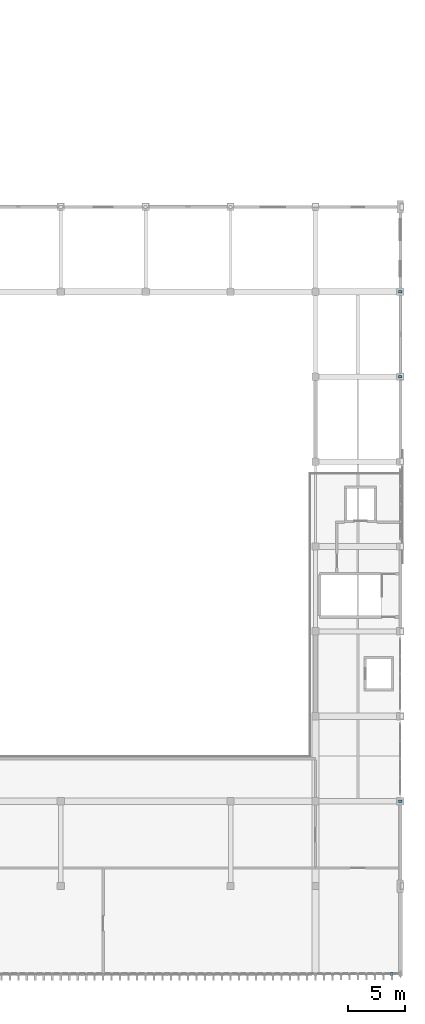
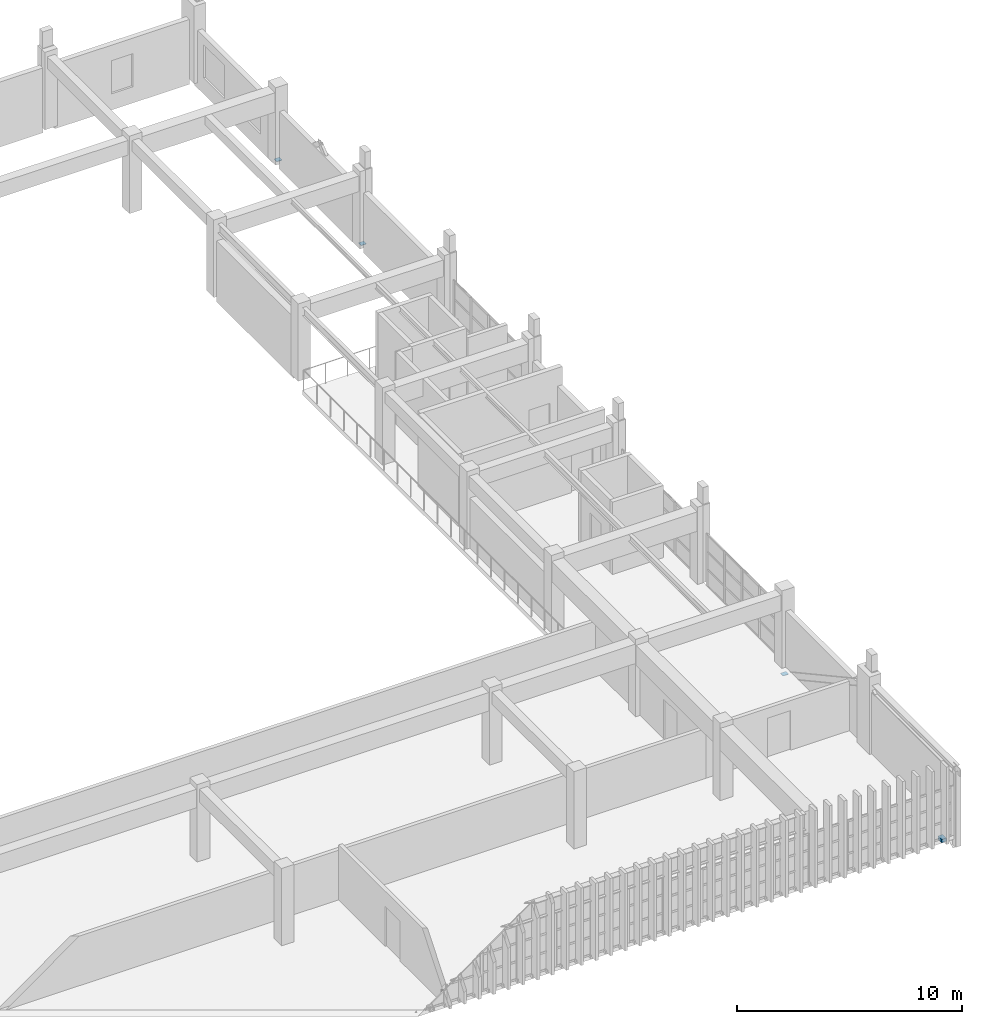
# One storey, part 41 of 51: 4 discrete accessories.
"""IFC4 building model written with IfcOpenShell, lengths in metres."""

import ifcopenshell
import ifcopenshell.guid

model = None  # the IFC model being written
_history = None  # IfcOwnerHistory: only IFC2X3 demands one
_inside = {}  # id of a spatial element -> (the spatial element, [elements in it])
_under = {}  # id of a project, library or spatial element -> (it, [spatial elements below it])
_declared = {}  # id of a project -> (the project, [libraries it declares])
_typed = {}  # id of a type object -> (the type object, [elements of that type])
_made_of = {}  # id of a material, layer set ... -> (it, [elements and type objects made of it])


def new_model(schema):
    """Start an empty IFC model of exactly this schema.

    Asked for "IFC4X3", IfcOpenShell would pick the latest addendum, in which some entities
    have other attributes; the version numbers below select the first issue.
    IFC2X3 requires an IfcOwnerHistory on every rooted entity: one is made here for all.
    """
    global model, _history
    if schema == "IFC4X3":
        model = ifcopenshell.file(schema_version=(4, 3, 0, 0))
    else:
        model = ifcopenshell.file(schema=schema)
    _inside.clear()
    _under.clear()
    _declared.clear()
    _typed.clear()
    _made_of.clear()
    _history = None
    if model.schema == "IFC2X3":
        org = make("IfcOrganization", Name="unknown")
        user = make(
            "IfcPersonAndOrganization",
            ThePerson=make("IfcPerson", FamilyName="unknown"),
            TheOrganization=org,
        )
        app = make(
            "IfcApplication",
            ApplicationDeveloper=org,
            Version="unknown",
            ApplicationFullName="unknown",
            ApplicationIdentifier="unknown",
        )
        _history = make(
            "IfcOwnerHistory",
            OwningUser=user,
            OwningApplication=app,
            ChangeAction="ADDED",
            CreationDate=0,
        )
    return model


def make(cls, **values):
    """One entity of the class cls with the attributes given. An attribute that is None is left unset."""
    return model.create_entity(
        cls, **{name: value for name, value in values.items() if value is not None}
    )


def rooted(cls, **values):
    """An entity with a GlobalId (a new one), such as an element, a storey or a relation."""
    return make(cls, GlobalId=ifcopenshell.guid.new(), OwnerHistory=_history, **values)


def si_unit(unit_type, name, prefix=None):
    """IfcSIUnit, for example si_unit("LENGTHUNIT", "METRE", prefix="MILLI")."""
    return make("IfcSIUnit", UnitType=unit_type, Prefix=prefix, Name=name)


def assignment(units):
    """IfcUnitAssignment: the units of a project."""
    return None if units is None else make("IfcUnitAssignment", Units=units)


def point(xyz):
    """IfcCartesianPoint."""
    return None if xyz is None else make("IfcCartesianPoint", Coordinates=xyz)


def direction(xyz):
    """IfcDirection."""
    return None if xyz is None else make("IfcDirection", DirectionRatios=xyz)


def frame(location, z_axis=None, x_axis=None):
    """IfcAxis2Placement3D, a coordinate frame: its origin and axes. An axis left out is left unset."""
    return make(
        "IfcAxis2Placement3D",
        Location=point(location),
        Axis=direction(z_axis),
        RefDirection=direction(x_axis),
    )


def frame_2d(location, x_axis=None):
    """IfcAxis2Placement2D, a coordinate frame in the plane: its origin and x axis."""
    return make(
        "IfcAxis2Placement2D", Location=point(location), RefDirection=direction(x_axis)
    )


def origin():
    """The frame at (0, 0, 0) with its axes left unset."""
    return frame((0.0, 0.0, 0.0))


def origin_2d():
    """The frame at (0, 0) in the plane with its x axis left unset."""
    return frame_2d((0.0, 0.0))


def place(relative_to, where):
    """IfcLocalPlacement: puts the frame where relative to a parent placement (None: the world)."""
    return make(
        "IfcLocalPlacement", PlacementRelTo=relative_to, RelativePlacement=where
    )


def context(
    kind, dimensions, precision=None, world=None, true_north=None, identifier=None
):
    """IfcGeometricRepresentationContext, for example the 3D "Model" context."""
    return make(
        "IfcGeometricRepresentationContext",
        ContextIdentifier=identifier,
        ContextType=kind,
        CoordinateSpaceDimension=dimensions,
        Precision=precision,
        WorldCoordinateSystem=world,
        TrueNorth=true_north,
    )


def subcontext(parent, identifier, kind, view, scale=None):
    """IfcGeometricRepresentationSubContext, for example "Body" below "Model"."""
    return make(
        "IfcGeometricRepresentationSubContext",
        ContextIdentifier=identifier,
        ContextType=kind,
        ParentContext=parent,
        TargetScale=scale,
        TargetView=view,
    )


def project(units=None, contexts=None):
    """IfcProject with its units and contexts."""
    return rooted(
        "IfcProject",
        Name="project",
        RepresentationContexts=contexts,
        UnitsInContext=assignment(units),
    )


def spatial(cls, under=None, at=None, **own):
    """A site, building, storey or space (cls), placed at a placement, below another one or the project."""
    s = rooted(cls, ObjectPlacement=at, **own)
    if under is not None:
        _under.setdefault(under.id(), (under, []))[1].append(s)
    return s


def profile(cls, at=None, kind="AREA", **sizes):
    """A parametric profile (cls). Its sizes go by their IFC names, for example OverallWidth=200.0."""
    return make(cls, ProfileType=kind, Position=at, **sizes)


def rectangle(**sizes):
    """IfcRectangleProfileDef."""
    return profile("IfcRectangleProfileDef", **sizes)


def extrude(swept, where, along, depth):
    """IfcExtrudedAreaSolid: the profile swept, set in the frame where, extruded along a direction by depth."""
    return make(
        "IfcExtrudedAreaSolid",
        SweptArea=swept,
        Position=where,
        ExtrudedDirection=direction(along),
        Depth=depth,
    )


def shape(context_of_items, identifier, shape_type, items):
    """IfcShapeRepresentation: the items that make up one representation, for example the "Body"."""
    return make(
        "IfcShapeRepresentation",
        ContextOfItems=context_of_items,
        RepresentationIdentifier=identifier,
        RepresentationType=shape_type,
        Items=items,
    )


def material(Name=None, Category=None):
    """IfcMaterial."""
    return make("IfcMaterial", Name=Name, Category=Category)


def made_of(thing, what):
    """Note that an element or type object is made of a material, layer set ...; save() writes the relation."""
    if what is not None:
        _made_of.setdefault(what.id(), (what, []))[1].append(thing)
    return thing


def type_object(cls, material=None, **own):
    """A type object (cls), such as IfcWallType, which elements share."""
    return made_of(rooted(cls, **own), material)


def element(
    cls,
    number,
    at=None,
    inside=None,
    cuts=None,
    type_object=None,
    material=None,
    context=None,
    identifier="Body",
    shape_type=None,
    held_by="IfcProductDefinitionShape",
    body=None,
    shapes=None,
    **own,
):
    """One element of the class cls, such as IfcWall. Its Tag is "e" and its number.

    at: its placement. inside: the storey or other place that contains it. cuts: it is an
    opening in that element (IfcRelVoidsElement). A single representation is given by context,
    identifier, shape_type and body (its items); several are given by shapes. held_by: the class
    of the entity that holds the representations. save() writes the other relations.
    """
    e = rooted(cls, Tag="e%d" % number, ObjectPlacement=at, **own)
    if body is not None:
        shapes = [shape(context, identifier, shape_type, body)]
    if shapes is not None:
        e.Representation = make(held_by, Representations=shapes)
    if inside is not None:
        _inside.setdefault(inside.id(), (inside, []))[1].append(e)
    if cuts is not None:
        rooted(
            "IfcRelVoidsElement", RelatingBuildingElement=cuts, RelatedOpeningElement=e
        )
    if type_object is not None:
        _typed.setdefault(type_object.id(), (type_object, []))[1].append(e)
    return made_of(e, material)


def aggregate(whole, parts):
    """IfcRelAggregates: a whole, such as a stair, and the parts it consists of."""
    return rooted("IfcRelAggregates", RelatingObject=whole, RelatedObjects=parts)


def save(model, path):
    """Write the relations noted so far, then the file.

    IfcRelAggregates (storeys below a building ...), IfcRelContainedInSpatialStructure (elements
    in a storey), IfcRelDefinesByType, IfcRelAssociatesMaterial and IfcRelDeclares: one each for
    every whole, place, type object, material and project.
    """
    for whole, parts in _under.values():
        aggregate(whole, parts)
    for where, things in _inside.values():
        rooted(
            "IfcRelContainedInSpatialStructure",
            RelatedElements=things,
            RelatingStructure=where,
        )
    for kind, things in _typed.values():
        rooted("IfcRelDefinesByType", RelatedObjects=things, RelatingType=kind)
    for what, things in _made_of.values():
        rooted("IfcRelAssociatesMaterial", RelatedObjects=things, RelatingMaterial=what)
    for by, libraries in _declared.values():
        rooted("IfcRelDeclares", RelatingContext=by, RelatedDefinitions=libraries)
    model.write(path)


model = new_model("IFC4")

# Units and contexts
model_context = context("Model", 3, precision=1e-05, world=origin(), true_north=direction((0.0, 1.0)))
body_context = subcontext(model_context, "Body", "Model", "MODEL_VIEW")
ifc_project = project(units=[si_unit("LENGTHUNIT", "METRE"), si_unit("AREAUNIT", "SQUARE_METRE"), si_unit("VOLUMEUNIT", "CUBIC_METRE"), si_unit("PLANEANGLEUNIT", "RADIAN"), si_unit("MASSUNIT", "GRAM", prefix="KILO")], contexts=[model_context])

# Site, building, storey
site_placement = place(None, origin())
site = spatial("IfcSite", under=ifc_project, at=site_placement, CompositionType="ELEMENT")
building_placement = place(site_placement, origin())
building = spatial("IfcBuilding", under=site, at=building_placement, Name="Qasida Concert Hall", CompositionType="ELEMENT")
storey_placement = place(building_placement, frame((0.0, 0.0, 21.0)))
storey = spatial("IfcBuildingStorey", under=building, at=storey_placement, Name="L05", CompositionType="ELEMENT", Elevation=21.0)

# Discrete accessories
ifc_material_1 = material(Name="Steel S355J2", Category="steel")
discrete_accessory_type_1 = type_object("IfcDiscreteAccessoryType", Name="ACC-CONN-S355", PredefinedType="BRACKET", material=ifc_material_1)
for number, where, z_axis, x_axis, name in (
    (1, (105.0, 30.0, -0.612060546875), (0.0, 0.0, 1.0), (1.0, 0.0, 0.0), "Steel brace/strut end connection CN-0012"),
    (2, (105.0, 67.5, -0.011962890625), (0.0, 0.0, 1.0), (1.0, 0.0, 0.0), "Steel brace/strut end connection CN-0202"),
    (3, (105.0, 75.0, -0.011962890625), (0.0, 0.0, 1.0), (1.0, 0.0, 0.0), "Steel brace/strut end connection CN-0203"),
):
    element("IfcDiscreteAccessory", number, at=place(storey_placement, frame(where, z_axis=z_axis, x_axis=x_axis)), inside=storey, type_object=discrete_accessory_type_1, Name=name, PredefinedType="BRACKET", context=body_context, shape_type="SweptSolid", body=[
        extrude(rectangle(XDim=0.280029296875, YDim=0.239990234375, at=origin_2d()), origin(), (0.0, 0.0, 1.0), 0.02392578125),
    ])
ifc_material_2 = material(Name="Stainless steel EN 1.4401", Category="steel")
discrete_accessory_type_2 = type_object("IfcDiscreteAccessoryType", Name="ACC-FIN-BRK", PredefinedType="BRACKET", material=ifc_material_2)
discrete_accessory_placement = place(storey_placement, frame((104.25, 14.699951171875, -0.08984375), z_axis=(0.0, 0.0, 1.0), x_axis=(1.0, 0.0, 0.0)))
element("IfcDiscreteAccessory", 4, at=discrete_accessory_placement, inside=storey, type_object=discrete_accessory_type_2, Name="Facade fin anchor bracket FB-069", PredefinedType="BRACKET", context=body_context, shape_type="SweptSolid", body=[
    extrude(rectangle(XDim=0.239990234375, YDim=0.320068359375, at=origin_2d()), origin(), (0.0, 0.0, 1.0), 0.179931640625),
])

save(model, "model.ifc")
